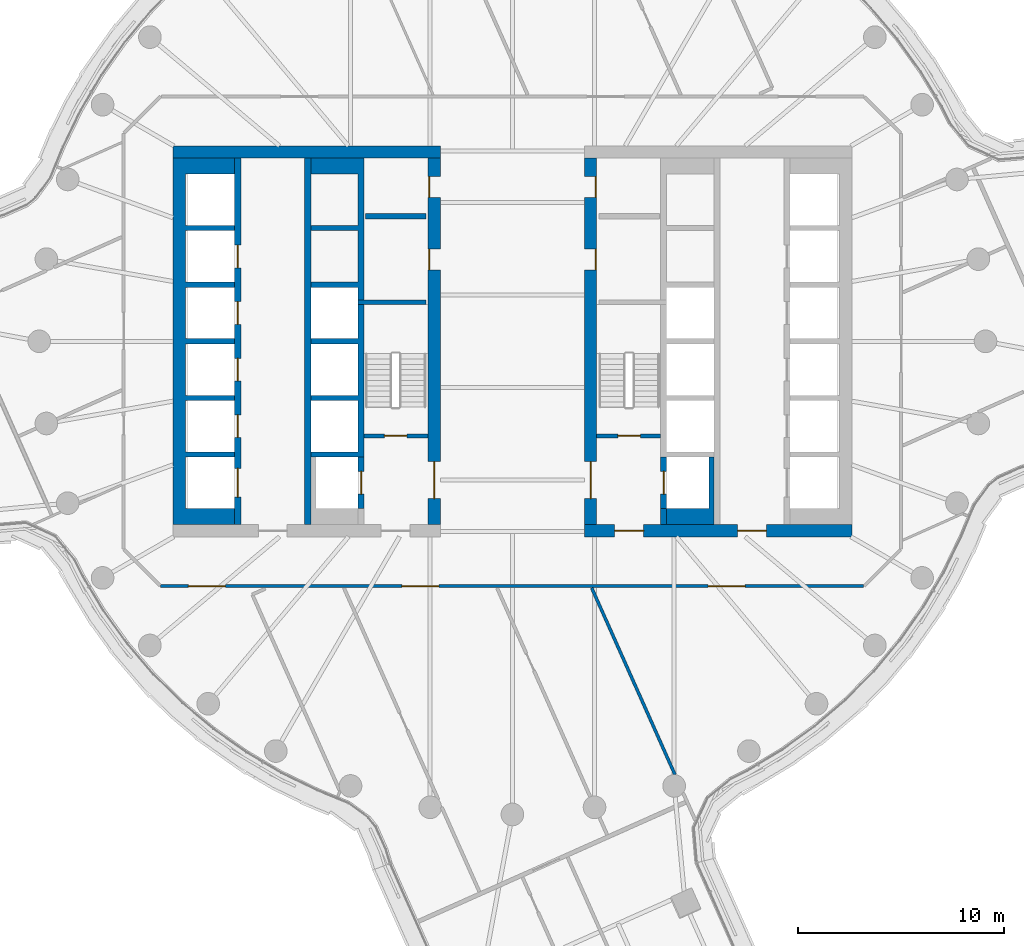
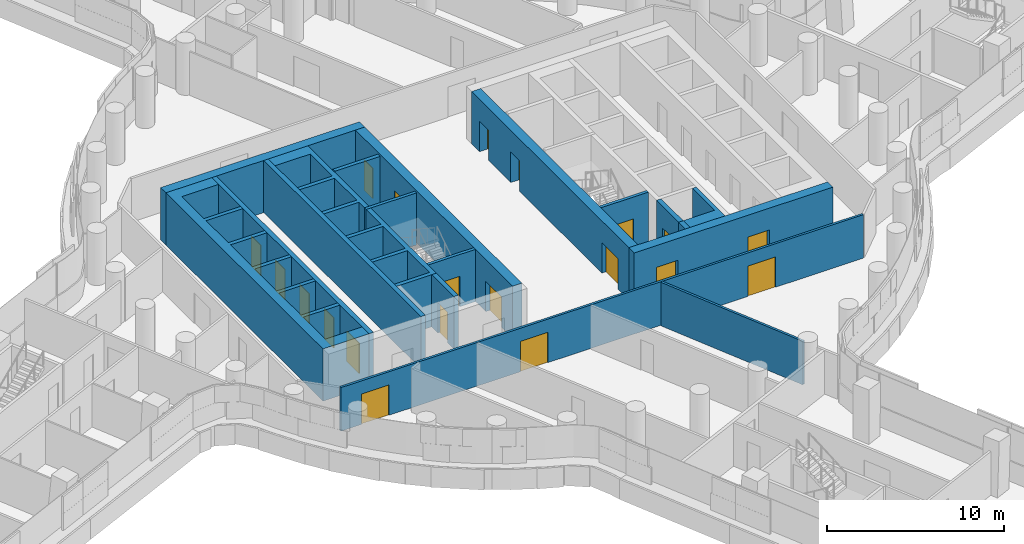
# One storey, part 23 of 35: 20 doors, 18 walls, 20 openings.
"""IFC4 building model written with IfcOpenShell, lengths in metres."""

from ifc_helpers import new_model, si_unit, direction, frame, frame_2d, origin, place, context, subcontext, project, spatial, polyline, rectangle, outline, extrude, material, layer, layer_set, type_object, element, fill, save


model = new_model("IFC4")

# Units and contexts
model_context = context("Model", 3, precision=1e-05, world=origin(), true_north=direction((0.0, 1.0)))
body_context = subcontext(model_context, "Body", "Model", "MODEL_VIEW")
ifc_project = project(units=[si_unit("LENGTHUNIT", "METRE"), si_unit("AREAUNIT", "SQUARE_METRE"), si_unit("VOLUMEUNIT", "CUBIC_METRE"), si_unit("PLANEANGLEUNIT", "RADIAN"), si_unit("MASSUNIT", "GRAM", prefix="KILO")], contexts=[model_context])

# Site, building, storey
site_placement = place(None, origin())
site = spatial("IfcSite", under=ifc_project, at=site_placement, CompositionType="ELEMENT")
building_placement = place(site_placement, origin())
building = spatial("IfcBuilding", under=site, at=building_placement, Name="Tamarind Cross Interchange Tower", CompositionType="ELEMENT")
storey_placement = place(building_placement, frame((0.0, 0.0, 121.0)))
storey = spatial("IfcBuildingStorey", under=building, at=storey_placement, Name="L29", CompositionType="ELEMENT", Elevation=121.0)

# Walls
ifc_material_1 = material(Name="Concrete C70", Category="concrete")
ifc_layer_1 = layer(ifc_material_1, 0.60009765625)
ifc_layer_set_1 = layer_set([ifc_layer_1], Name="Concrete C70")
wall_type_1 = type_object("IfcWallType", Name="Core wall 600 mm Concrete C70", PredefinedType="SHEAR", material=ifc_layer_set_1)
wall_1_placement = place(storey_placement, origin())
element("IfcWall", 1, at=wall_1_placement, inside=storey, type_object=wall_type_1, Name="Core wall CWL-L29-W-A", PredefinedType="SHEAR", context=body_context, shape_type="SweptSolid", body=[
    extrude(outline(polyline([(-13.5, -8.89990234375), (-13.5, -8.125), (-15.89990234375, -8.125), (-15.89990234375, -5.625), (-13.5, -5.625), (-13.5, -5.375), (-15.89990234375, -5.375), (-15.89990234375, -2.875), (-13.5, -2.875), (-13.5, -2.625), (-15.89990234375, -2.625), (-15.89990234375, -0.125), (-13.5, -0.125), (-13.5, 0.125), (-15.89990234375, 0.125), (-15.89990234375, 2.625), (-13.5, 2.625), (-13.5, 2.875), (-15.89990234375, 2.875), (-15.89990234375, 5.375), (-13.5, 5.375), (-13.5, 5.625), (-15.89990234375, 5.625), (-15.89990234375, 8.125), (-13.5, 8.125), (-13.5, 8.89990234375), (-15.89990234375, 8.89990234375), (-16.5, 8.89990234375), (-16.5, -8.89990234375), (-15.89990234375, -8.89990234375), (-13.5, -8.89990234375)])), origin(), (0.0, 0.0, 1.0), 3.610107421875),
])
wall_2_placement = place(storey_placement, frame((-16.5, 9.199951171875, 0.0), z_axis=(0.0, 0.0, 1.0), x_axis=(1.0, 0.0, 0.0)))
element("IfcWall", 2, at=wall_2_placement, inside=storey, type_object=wall_type_1, Name="Core wall CWL-L29-W-NE", PredefinedType="SHEAR", context=body_context, shape_type="SweptSolid", body=[
    extrude(rectangle(XDim=13.0, YDim=0.60009765625, at=frame_2d((6.5, 0.0))), origin(), (0.0, 0.0, 1.0), 3.610107421875),
])

# Wall, openings, doors
wall_3_placement = place(storey_placement, frame((-3.800048828125, -8.89990234375, 0.0), z_axis=(0.0, 0.0, 1.0), x_axis=(0.0, 1.0, 0.0)))
wall_3 = element("IfcWall", 3, at=wall_3_placement, inside=storey, type_object=wall_type_1, Name="Core wall CWL-L29-W-IN", PredefinedType="SHEAR", context=body_context, shape_type="SweptSolid", body=[
    extrude(rectangle(XDim=17.7998046875, YDim=0.60009765625, at=frame_2d((8.89990234375, 0.0))), origin(), (0.0, 0.0, 1.0), 3.610107421875),
])
opening_1_placement = place(wall_3_placement, frame((1.25, 0.0, 0.0)))
opening_1 = element("IfcOpeningElement", 4, at=opening_1_placement, cuts=wall_3, Name="Opening DCW4", PredefinedType="OPENING", context=body_context, shape_type="SweptSolid", body=[
    extrude(rectangle(XDim=1.800048828125, YDim=2.10009765625, at=frame_2d((0.89990234375, 1.050048828125))), frame((0.0, 0.31005859375, 0.0), z_axis=(0.0, -1.0, 0.0), x_axis=(1.0, 0.0, 0.0)), (0.0, 0.0, 1.0), 0.6201171875),
])
opening_2_placement = place(wall_3_placement, frame((12.37744140625, 0.0, 0.0)))
opening_2 = element("IfcOpeningElement", 5, at=opening_2_placement, cuts=wall_3, Name="Opening DCW5", PredefinedType="OPENING", context=body_context, shape_type="SweptSolid", body=[
    extrude(rectangle(XDim=1.0, YDim=2.10009765625, at=frame_2d((0.5, 1.050048828125))), frame((0.0, 0.31005859375, 0.0), z_axis=(0.0, -1.0, 0.0), x_axis=(1.0, 0.0, 0.0)), (0.0, 0.0, 1.0), 0.6201171875),
])
opening_3_placement = place(wall_3_placement, frame((15.902587890625, 0.0, 0.0)))
opening_3 = element("IfcOpeningElement", 6, at=opening_3_placement, cuts=wall_3, Name="Opening DCW5", PredefinedType="OPENING", context=body_context, shape_type="SweptSolid", body=[
    extrude(rectangle(XDim=1.0, YDim=2.10009765625, at=frame_2d((0.5, 1.050048828125))), frame((0.0, 0.31005859375, 0.0), z_axis=(0.0, -1.0, 0.0), x_axis=(1.0, 0.0, 0.0)), (0.0, 0.0, 1.0), 0.6201171875),
])
ifc_material_2 = material(Name="Steel, fire-resisting", Category="steel")
door_type_1 = type_object("IfcDoorType", Name="Core fire door 1000 x 2100 FD90", OperationType="SINGLE_SWING_LEFT", PredefinedType="DOOR", material=ifc_material_2)
door_1_placement = place(opening_2_placement, origin())
door_1 = element("IfcDoor", 7, at=door_1_placement, inside=storey, type_object=door_type_1, Name="L29 cleaner's store door", OperationType="SINGLE_SWING_LEFT", OverallHeight=2.10009765625, OverallWidth=1.0, PredefinedType="DOOR", context=body_context, shape_type="SweptSolid", body=[
    extrude(rectangle(XDim=1.0, YDim=2.10009765625, at=frame_2d((0.5, 1.050048828125))), frame((0.0, 0.27490234375, 0.0), z_axis=(0.0, -1.0, 0.0), x_axis=(1.0, 0.0, 0.0)), (0.0, 0.0, 1.0), 0.050048828125),
])
fill(opening_2, door_1)
door_2_placement = place(opening_3_placement, origin())
door_2 = element("IfcDoor", 8, at=door_2_placement, inside=storey, type_object=door_type_1, Name="L29 comms room door", OperationType="SINGLE_SWING_LEFT", OverallHeight=2.10009765625, OverallWidth=1.0, PredefinedType="DOOR", context=body_context, shape_type="SweptSolid", body=[
    extrude(rectangle(XDim=1.0, YDim=2.10009765625, at=frame_2d((0.5, 1.050048828125))), frame((0.0, 0.27490234375, 0.0), z_axis=(0.0, -1.0, 0.0), x_axis=(1.0, 0.0, 0.0)), (0.0, 0.0, 1.0), 0.050048828125),
])
fill(opening_3, door_2)
door_type_2 = type_object("IfcDoorType", Name="Core fire door 1800 x 2100 FD90", OperationType="SINGLE_SWING_LEFT", PredefinedType="DOOR", material=ifc_material_2)
door_3_placement = place(opening_1_placement, origin())
door_3 = element("IfcDoor", 9, at=door_3_placement, inside=storey, type_object=door_type_2, Name="L29 firefighting lobby door", OperationType="SINGLE_SWING_LEFT", OverallHeight=2.10009765625, OverallWidth=1.800048828125, PredefinedType="DOOR", context=body_context, shape_type="SweptSolid", body=[
    extrude(rectangle(XDim=1.800048828125, YDim=2.10009765625, at=frame_2d((0.89990234375, 1.050048828125))), frame((0.0, 0.02490234375, 0.0), z_axis=(0.0, -1.0, 0.0), x_axis=(1.0, 0.0, 0.0)), (0.0, 0.0, 1.0), 0.050048828125),
])
fill(opening_1, door_3)

wall_4_placement = place(storey_placement, frame((16.5, -9.199951171875, 0.0), z_axis=(0.0, 0.0, 1.0), x_axis=(-1.0, 0.0, 0.0)))
wall_4 = element("IfcWall", 10, at=wall_4_placement, inside=storey, type_object=wall_type_1, Name="Core wall CWL-L29-E-S", PredefinedType="SHEAR", context=body_context, shape_type="SweptSolid", body=[
    extrude(rectangle(XDim=13.0, YDim=0.60009765625, at=frame_2d((6.5, 0.0))), origin(), (0.0, 0.0, 1.0), 3.610107421875),
])
opening_4_placement = place(wall_4_placement, frame((4.14990234375, 0.0, 0.0)))
opening_4 = element("IfcOpeningElement", 11, at=opening_4_placement, cuts=wall_4, Name="Opening DCE1", PredefinedType="OPENING", context=body_context, shape_type="SweptSolid", body=[
    extrude(rectangle(XDim=1.39990234375, YDim=2.10009765625, at=frame_2d((0.699951171875, 1.050048828125))), frame((0.0, 0.31005859375, 0.0), z_axis=(0.0, -1.0, 0.0), x_axis=(1.0, 0.0, 0.0)), (0.0, 0.0, 1.0), 0.6201171875),
])
opening_5_placement = place(wall_4_placement, frame((10.125, 0.0, 0.0)))
opening_5 = element("IfcOpeningElement", 12, at=opening_5_placement, cuts=wall_4, Name="Opening DCEF", PredefinedType="OPENING", context=body_context, shape_type="SweptSolid", body=[
    extrude(rectangle(XDim=1.39990234375, YDim=2.10009765625, at=frame_2d((0.699951171875, 1.050048828125))), frame((0.0, 0.31005859375, 0.0), z_axis=(0.0, -1.0, 0.0), x_axis=(1.0, 0.0, 0.0)), (0.0, 0.0, 1.0), 0.6201171875),
])
door_type_3 = type_object("IfcDoorType", Name="Core fire door 1400 x 2100 FD90", OperationType="SINGLE_SWING_LEFT", PredefinedType="DOOR", material=ifc_material_2)
door_4_placement = place(opening_4_placement, origin())
door_4 = element("IfcDoor", 13, at=door_4_placement, inside=storey, type_object=door_type_3, Name="L29 lift lobby door", OperationType="SINGLE_SWING_LEFT", OverallHeight=2.10009765625, OverallWidth=1.39990234375, PredefinedType="DOOR", context=body_context, shape_type="SweptSolid", body=[
    extrude(rectangle(XDim=1.39990234375, YDim=2.10009765625, at=frame_2d((0.699951171875, 1.050048828125))), frame((0.0, 0.02490234375, 0.0), z_axis=(0.0, -1.0, 0.0), x_axis=(1.0, 0.0, 0.0)), (0.0, 0.0, 1.0), 0.050048828125),
])
fill(opening_4, door_4)
door_5_placement = place(opening_5_placement, origin())
door_5 = element("IfcDoor", 14, at=door_5_placement, inside=storey, type_object=door_type_3, Name="L29 firefighting lobby end door", OperationType="SINGLE_SWING_LEFT", OverallHeight=2.10009765625, OverallWidth=1.39990234375, PredefinedType="DOOR", context=body_context, shape_type="SweptSolid", body=[
    extrude(rectangle(XDim=1.39990234375, YDim=2.10009765625, at=frame_2d((0.699951171875, 1.050048828125))), frame((0.0, 0.02490234375, 0.0), z_axis=(0.0, -1.0, 0.0), x_axis=(1.0, 0.0, 0.0)), (0.0, 0.0, 1.0), 0.050048828125),
])
fill(opening_5, door_5)

wall_5_placement = place(storey_placement, frame((3.800048828125, -8.89990234375, 0.0), z_axis=(0.0, 0.0, 1.0), x_axis=(0.0, 1.0, 0.0)))
wall_5 = element("IfcWall", 15, at=wall_5_placement, inside=storey, type_object=wall_type_1, Name="Core wall CWL-L29-E-IN", PredefinedType="SHEAR", context=body_context, shape_type="SweptSolid", body=[
    extrude(rectangle(XDim=17.7998046875, YDim=0.60009765625, at=frame_2d((8.89990234375, 0.0))), origin(), (0.0, 0.0, 1.0), 3.610107421875),
])
opening_6_placement = place(wall_5_placement, frame((1.25, 0.0, 0.0)))
opening_6 = element("IfcOpeningElement", 16, at=opening_6_placement, cuts=wall_5, Name="Opening DCE4", PredefinedType="OPENING", context=body_context, shape_type="SweptSolid", body=[
    extrude(rectangle(XDim=1.800048828125, YDim=2.10009765625, at=frame_2d((0.89990234375, 1.050048828125))), frame((0.0, 0.31005859375, 0.0), z_axis=(0.0, -1.0, 0.0), x_axis=(1.0, 0.0, 0.0)), (0.0, 0.0, 1.0), 0.6201171875),
])
opening_7_placement = place(wall_5_placement, frame((12.37744140625, 0.0, 0.0)))
opening_7 = element("IfcOpeningElement", 17, at=opening_7_placement, cuts=wall_5, Name="Opening DCE5", PredefinedType="OPENING", context=body_context, shape_type="SweptSolid", body=[
    extrude(rectangle(XDim=1.0, YDim=2.10009765625, at=frame_2d((0.5, 1.050048828125))), frame((0.0, 0.31005859375, 0.0), z_axis=(0.0, -1.0, 0.0), x_axis=(1.0, 0.0, 0.0)), (0.0, 0.0, 1.0), 0.6201171875),
])
opening_8_placement = place(wall_5_placement, frame((15.902587890625, 0.0, 0.0)))
opening_8 = element("IfcOpeningElement", 18, at=opening_8_placement, cuts=wall_5, Name="Opening DCE5", PredefinedType="OPENING", context=body_context, shape_type="SweptSolid", body=[
    extrude(rectangle(XDim=1.0, YDim=2.10009765625, at=frame_2d((0.5, 1.050048828125))), frame((0.0, 0.31005859375, 0.0), z_axis=(0.0, -1.0, 0.0), x_axis=(1.0, 0.0, 0.0)), (0.0, 0.0, 1.0), 0.6201171875),
])
door_6_placement = place(opening_7_placement, origin())
door_6 = element("IfcDoor", 19, at=door_6_placement, inside=storey, type_object=door_type_1, Name="L29 cleaner's store door", OperationType="SINGLE_SWING_LEFT", OverallHeight=2.10009765625, OverallWidth=1.0, PredefinedType="DOOR", context=body_context, shape_type="SweptSolid", body=[
    extrude(rectangle(XDim=1.0, YDim=2.10009765625, at=frame_2d((0.5, 1.050048828125))), frame((0.0, -0.22509765625, 0.0), z_axis=(0.0, -1.0, 0.0), x_axis=(1.0, 0.0, 0.0)), (0.0, 0.0, 1.0), 0.050048828125),
])
fill(opening_7, door_6)
door_7_placement = place(opening_8_placement, origin())
door_7 = element("IfcDoor", 20, at=door_7_placement, inside=storey, type_object=door_type_1, Name="L29 comms room door", OperationType="SINGLE_SWING_LEFT", OverallHeight=2.10009765625, OverallWidth=1.0, PredefinedType="DOOR", context=body_context, shape_type="SweptSolid", body=[
    extrude(rectangle(XDim=1.0, YDim=2.10009765625, at=frame_2d((0.5, 1.050048828125))), frame((0.0, -0.22509765625, 0.0), z_axis=(0.0, -1.0, 0.0), x_axis=(1.0, 0.0, 0.0)), (0.0, 0.0, 1.0), 0.050048828125),
])
fill(opening_8, door_7)
door_8_placement = place(opening_6_placement, origin())
door_8 = element("IfcDoor", 21, at=door_8_placement, inside=storey, type_object=door_type_2, Name="L29 firefighting lobby door", OperationType="SINGLE_SWING_LEFT", OverallHeight=2.10009765625, OverallWidth=1.800048828125, PredefinedType="DOOR", context=body_context, shape_type="SweptSolid", body=[
    extrude(rectangle(XDim=1.800048828125, YDim=2.10009765625, at=frame_2d((0.89990234375, 1.050048828125))), frame((0.0, 0.02490234375, 0.0), z_axis=(0.0, -1.0, 0.0), x_axis=(1.0, 0.0, 0.0)), (0.0, 0.0, 1.0), 0.050048828125),
])
fill(opening_6, door_8)

# Walls
ifc_layer_2 = layer(ifc_material_1, 0.199951171875)
ifc_layer_set_2 = layer_set([ifc_layer_2], Name="Concrete C70")
wall_type_2 = type_object("IfcWallType", Name="Core web wall 200 mm Concrete C70", PredefinedType="SHEAR", material=ifc_layer_set_2)
wall_6_placement = place(storey_placement, frame((-7.5, 1.89990234375, 0.0), z_axis=(0.0, 0.0, 1.0), x_axis=(1.0, 0.0, 0.0)))
element("IfcWall", 22, at=wall_6_placement, inside=storey, type_object=wall_type_2, Name="Core wall CWL-L29-W-BD", PredefinedType="SHEAR", context=body_context, shape_type="SweptSolid", body=[
    extrude(rectangle(XDim=3.300048828125, YDim=0.199951171875, at=frame_2d((1.64990234375, 0.0))), origin(), (0.0, 0.0, 1.0), 3.610107421875),
])
ifc_layer_3 = layer(ifc_material_1, 0.300048828125)
ifc_layer_set_3 = layer_set([ifc_layer_3], Name="Concrete C70")
wall_type_3 = type_object("IfcWallType", Name="Core web wall 300 mm Concrete C70", PredefinedType="SHEAR", material=ifc_layer_set_3)
wall_7_placement = place(storey_placement, origin())
element("IfcWall", 23, at=wall_7_placement, inside=storey, type_object=wall_type_3, Name="Core wall CWL-L29-W-BN", PredefinedType="SHEAR", context=body_context, shape_type="SweptSolid", body=[
    extrude(outline(polyline([(-9.800048828125, -5.375), (-9.800048828125, -5.625), (-7.5, -5.625), (-7.199951171875, -5.625), (-7.199951171875, 8.89990234375), (-7.5, 8.89990234375), (-9.800048828125, 8.89990234375), (-9.800048828125, 8.125), (-7.5, 8.125), (-7.5, 5.625), (-9.800048828125, 5.625), (-9.800048828125, 5.375), (-7.5, 5.375), (-7.5, 2.875), (-9.800048828125, 2.875), (-9.800048828125, 2.625), (-7.5, 2.625), (-7.5, 0.125), (-9.800048828125, 0.125), (-9.800048828125, -0.125), (-7.5, -0.125), (-7.5, -2.625), (-9.800048828125, -2.625), (-9.800048828125, -2.875), (-7.5, -2.875), (-7.5, -5.375), (-9.800048828125, -5.375)])), origin(), (0.0, 0.0, 1.0), 3.610107421875),
])

# Wall, openings, doors
wall_8_placement = place(storey_placement, frame((-13.35009765625, -8.89990234375, 0.0), z_axis=(0.0, 0.0, 1.0), x_axis=(0.0, 1.0, 0.0)))
wall_8 = element("IfcWall", 24, at=wall_8_placement, inside=storey, type_object=wall_type_3, Name="Core wall CWL-L29-W-LA", PredefinedType="SHEAR", context=body_context, shape_type="SweptSolid", body=[
    extrude(rectangle(XDim=17.7998046875, YDim=0.300048828125, at=frame_2d((8.89990234375, 0.0))), origin(), (0.0, 0.0, 1.0), 3.610107421875),
])
opening_9_placement = place(wall_8_placement, frame((1.324951171875, 0.0, 0.0)))
opening_9 = element("IfcOpeningElement", 25, at=opening_9_placement, cuts=wall_8, Name="Opening LD1L29", PredefinedType="OPENING", context=body_context, shape_type="SweptSolid", body=[
    extrude(rectangle(XDim=1.39990234375, YDim=2.10009765625, at=frame_2d((0.699951171875, 1.050048828125))), frame((0.0, 0.159912109375, 0.0), z_axis=(0.0, -1.0, 0.0), x_axis=(1.0, 0.0, 0.0)), (0.0, 0.0, 1.0), 0.320068359375),
])
opening_10_placement = place(wall_8_placement, frame((4.22509765625, 0.0, 0.0)))
opening_10 = element("IfcOpeningElement", 26, at=opening_10_placement, cuts=wall_8, Name="Opening LD2L29", PredefinedType="OPENING", context=body_context, shape_type="SweptSolid", body=[
    extrude(rectangle(XDim=1.10009765625, YDim=2.10009765625, at=frame_2d((0.550048828125, 1.050048828125))), frame((0.0, 0.159912109375, 0.0), z_axis=(0.0, -1.0, 0.0), x_axis=(1.0, 0.0, 0.0)), (0.0, 0.0, 1.0), 0.320068359375),
])
opening_11_placement = place(wall_8_placement, frame((6.97509765625, 0.0, 0.0)))
opening_11 = element("IfcOpeningElement", 27, at=opening_11_placement, cuts=wall_8, Name="Opening LD3L29", PredefinedType="OPENING", context=body_context, shape_type="SweptSolid", body=[
    extrude(rectangle(XDim=1.10009765625, YDim=2.10009765625, at=frame_2d((0.550048828125, 1.050048828125))), frame((0.0, 0.159912109375, 0.0), z_axis=(0.0, -1.0, 0.0), x_axis=(1.0, 0.0, 0.0)), (0.0, 0.0, 1.0), 0.320068359375),
])
opening_12_placement = place(wall_8_placement, frame((9.72509765625, 0.0, 0.0)))
opening_12 = element("IfcOpeningElement", 28, at=opening_12_placement, cuts=wall_8, Name="Opening LD4L29", PredefinedType="OPENING", context=body_context, shape_type="SweptSolid", body=[
    extrude(rectangle(XDim=1.10009765625, YDim=2.10009765625, at=frame_2d((0.550048828125, 1.050048828125))), frame((0.0, 0.159912109375, 0.0), z_axis=(0.0, -1.0, 0.0), x_axis=(1.0, 0.0, 0.0)), (0.0, 0.0, 1.0), 0.320068359375),
])
opening_13_placement = place(wall_8_placement, frame((12.47509765625, 0.0, 0.0)))
opening_13 = element("IfcOpeningElement", 29, at=opening_13_placement, cuts=wall_8, Name="Opening LD5L29", PredefinedType="OPENING", context=body_context, shape_type="SweptSolid", body=[
    extrude(rectangle(XDim=1.10009765625, YDim=2.10009765625, at=frame_2d((0.550048828125, 1.050048828125))), frame((0.0, 0.159912109375, 0.0), z_axis=(0.0, -1.0, 0.0), x_axis=(1.0, 0.0, 0.0)), (0.0, 0.0, 1.0), 0.320068359375),
])
ifc_material_3 = material(Name="Stainless steel panel", Category="steel")
door_type_4 = type_object("IfcDoorType", Name="Lift landing door 1100 x 2100 E 120", OperationType="SLIDING_TO_LEFT", PredefinedType="DOOR", material=ifc_material_3)
door_9_placement = place(opening_10_placement, origin())
door_9 = element("IfcDoor", 30, at=door_9_placement, inside=storey, type_object=door_type_4, Name="L29 landing door LF2", OperationType="SLIDING_TO_LEFT", OverallHeight=2.10009765625, OverallWidth=1.10009765625, PredefinedType="DOOR", context=body_context, shape_type="SweptSolid", body=[
    extrude(rectangle(XDim=1.10009765625, YDim=2.10009765625, at=frame_2d((0.550048828125, 1.050048828125))), frame((0.0, 0.02490234375, 0.0), z_axis=(0.0, -1.0, 0.0), x_axis=(1.0, 0.0, 0.0)), (0.0, 0.0, 1.0), 0.050048828125),
])
fill(opening_10, door_9)
door_10_placement = place(opening_11_placement, origin())
door_10 = element("IfcDoor", 31, at=door_10_placement, inside=storey, type_object=door_type_4, Name="L29 landing door LF3", OperationType="SLIDING_TO_LEFT", OverallHeight=2.10009765625, OverallWidth=1.10009765625, PredefinedType="DOOR", context=body_context, shape_type="SweptSolid", body=[
    extrude(rectangle(XDim=1.10009765625, YDim=2.10009765625, at=frame_2d((0.550048828125, 1.050048828125))), frame((0.0, 0.02490234375, 0.0), z_axis=(0.0, -1.0, 0.0), x_axis=(1.0, 0.0, 0.0)), (0.0, 0.0, 1.0), 0.050048828125),
])
fill(opening_11, door_10)
door_11_placement = place(opening_12_placement, origin())
door_11 = element("IfcDoor", 32, at=door_11_placement, inside=storey, type_object=door_type_4, Name="L29 landing door LF4", OperationType="SLIDING_TO_LEFT", OverallHeight=2.10009765625, OverallWidth=1.10009765625, PredefinedType="DOOR", context=body_context, shape_type="SweptSolid", body=[
    extrude(rectangle(XDim=1.10009765625, YDim=2.10009765625, at=frame_2d((0.550048828125, 1.050048828125))), frame((0.0, 0.02490234375, 0.0), z_axis=(0.0, -1.0, 0.0), x_axis=(1.0, 0.0, 0.0)), (0.0, 0.0, 1.0), 0.050048828125),
])
fill(opening_12, door_11)
door_12_placement = place(opening_13_placement, origin())
door_12 = element("IfcDoor", 33, at=door_12_placement, inside=storey, type_object=door_type_4, Name="L29 landing door LF5", OperationType="SLIDING_TO_LEFT", OverallHeight=2.10009765625, OverallWidth=1.10009765625, PredefinedType="DOOR", context=body_context, shape_type="SweptSolid", body=[
    extrude(rectangle(XDim=1.10009765625, YDim=2.10009765625, at=frame_2d((0.550048828125, 1.050048828125))), frame((0.0, 0.02490234375, 0.0), z_axis=(0.0, -1.0, 0.0), x_axis=(1.0, 0.0, 0.0)), (0.0, 0.0, 1.0), 0.050048828125),
])
fill(opening_13, door_12)
door_type_5 = type_object("IfcDoorType", Name="Lift landing door 1400 x 2100 E 120", OperationType="SLIDING_TO_LEFT", PredefinedType="DOOR", material=ifc_material_3)
door_13_placement = place(opening_9_placement, origin())
door_13 = element("IfcDoor", 34, at=door_13_placement, inside=storey, type_object=door_type_5, Name="L29 landing door LF1", OperationType="SLIDING_TO_LEFT", OverallHeight=2.10009765625, OverallWidth=1.39990234375, PredefinedType="DOOR", context=body_context, shape_type="SweptSolid", body=[
    extrude(rectangle(XDim=1.39990234375, YDim=2.10009765625, at=frame_2d((0.699951171875, 1.050048828125))), frame((0.0, 0.02490234375, 0.0), z_axis=(0.0, -1.0, 0.0), x_axis=(1.0, 0.0, 0.0)), (0.0, 0.0, 1.0), 0.050048828125),
])
fill(opening_9, door_13)

# Wall
wall_9_placement = place(storey_placement, frame((-9.949951171875, -8.89990234375, 0.0), z_axis=(0.0, 0.0, 1.0), x_axis=(0.0, 1.0, 0.0)))
element("IfcWall", 35, at=wall_9_placement, inside=storey, type_object=wall_type_3, Name="Core wall CWL-L29-W-LB", PredefinedType="SHEAR", context=body_context, shape_type="SweptSolid", body=[
    extrude(rectangle(XDim=17.7998046875, YDim=0.300048828125, at=frame_2d((8.89990234375, 0.0))), origin(), (0.0, 0.0, 1.0), 3.610107421875),
])

# Wall, opening, door
wall_10_placement = place(storey_placement, frame((-7.35009765625, -8.125, 0.0), z_axis=(0.0, 0.0, 1.0), x_axis=(0.0, 1.0, 0.0)))
wall_10 = element("IfcWall", 36, at=wall_10_placement, inside=storey, type_object=wall_type_3, Name="Core wall CWL-L29-W-FF", PredefinedType="SHEAR", context=body_context, shape_type="SweptSolid", body=[
    extrude(rectangle(XDim=2.5, YDim=0.300048828125, at=frame_2d((1.25, 0.0))), origin(), (0.0, 0.0, 1.0), 3.610107421875),
])
opening_14_placement = place(wall_10_placement, frame((0.699951171875, 0.0, 0.0)))
opening_14 = element("IfcOpeningElement", 37, at=opening_14_placement, cuts=wall_10, Name="Opening LD7L29", PredefinedType="OPENING", context=body_context, shape_type="SweptSolid", body=[
    extrude(rectangle(XDim=1.10009765625, YDim=2.10009765625, at=frame_2d((0.550048828125, 1.050048828125))), frame((0.0, 0.159912109375, 0.0), z_axis=(0.0, -1.0, 0.0), x_axis=(1.0, 0.0, 0.0)), (0.0, 0.0, 1.0), 0.320068359375),
])
door_14_placement = place(opening_14_placement, origin())
door_14 = element("IfcDoor", 38, at=door_14_placement, inside=storey, type_object=door_type_4, Name="L29 landing door LF7", OperationType="SLIDING_TO_LEFT", OverallHeight=2.10009765625, OverallWidth=1.10009765625, PredefinedType="DOOR", context=body_context, shape_type="SweptSolid", body=[
    extrude(rectangle(XDim=1.10009765625, YDim=2.10009765625, at=frame_2d((0.550048828125, 1.050048828125))), frame((0.0, 0.02490234375, 0.0), z_axis=(0.0, -1.0, 0.0), x_axis=(1.0, 0.0, 0.0)), (0.0, 0.0, 1.0), 0.050048828125),
])
fill(opening_14, door_14)

# Walls
wall_11_placement = place(storey_placement, origin())
element("IfcWall", 39, at=wall_11_placement, inside=storey, type_object=wall_type_3, Name="Core wall CWL-L29-E-BS", PredefinedType="SHEAR", context=body_context, shape_type="SweptSolid", body=[
    extrude(outline(polyline([(7.5, -8.125), (7.5, -8.89990234375), (9.800048828125, -8.89990234375), (9.800048828125, -8.125), (9.800048828125, -5.625), (9.550048828125, -5.625), (9.550048828125, -8.125), (7.5, -8.125)])), origin(), (0.0, 0.0, 1.0), 3.610107421875),
])
wall_12_placement = place(storey_placement, frame((7.35009765625, -8.89990234375, 0.0), z_axis=(0.0, 0.0, 1.0), x_axis=(0.0, 1.0, 0.0)))
element("IfcWall", 40, at=wall_12_placement, inside=storey, type_object=wall_type_3, Name="Core wall CWL-L29-E-BW", PredefinedType="SHEAR", context=body_context, shape_type="SweptSolid", body=[
    extrude(rectangle(XDim=0.77490234375, YDim=0.300048828125, at=frame_2d((0.387451171875, 0.0))), origin(), (0.0, 0.0, 1.0), 3.610107421875),
])

# Wall, opening, door
wall_13_placement = place(storey_placement, frame((7.35009765625, -8.125, 0.0), z_axis=(0.0, 0.0, 1.0), x_axis=(0.0, 1.0, 0.0)))
wall_13 = element("IfcWall", 41, at=wall_13_placement, inside=storey, type_object=wall_type_3, Name="Core wall CWL-L29-E-FF", PredefinedType="SHEAR", context=body_context, shape_type="SweptSolid", body=[
    extrude(rectangle(XDim=2.5, YDim=0.300048828125, at=frame_2d((1.25, 0.0))), origin(), (0.0, 0.0, 1.0), 3.610107421875),
])
opening_15_placement = place(wall_13_placement, frame((0.699951171875, 0.0, 0.0)))
opening_15 = element("IfcOpeningElement", 42, at=opening_15_placement, cuts=wall_13, Name="Opening LD19L29", PredefinedType="OPENING", context=body_context, shape_type="SweptSolid", body=[
    extrude(rectangle(XDim=1.10009765625, YDim=2.10009765625, at=frame_2d((0.550048828125, 1.050048828125))), frame((0.0, 0.159912109375, 0.0), z_axis=(0.0, -1.0, 0.0), x_axis=(1.0, 0.0, 0.0)), (0.0, 0.0, 1.0), 0.320068359375),
])
door_15_placement = place(opening_15_placement, origin())
door_15 = element("IfcDoor", 43, at=door_15_placement, inside=storey, type_object=door_type_4, Name="L29 landing door LF19", OperationType="SLIDING_TO_LEFT", OverallHeight=2.10009765625, OverallWidth=1.10009765625, PredefinedType="DOOR", context=body_context, shape_type="SweptSolid", body=[
    extrude(rectangle(XDim=1.10009765625, YDim=2.10009765625, at=frame_2d((0.550048828125, 1.050048828125))), frame((0.0, 0.02490234375, 0.0), z_axis=(0.0, -1.0, 0.0), x_axis=(1.0, 0.0, 0.0)), (0.0, 0.0, 1.0), 0.050048828125),
])
fill(opening_15, door_15)

# Wall
ifc_material_4 = material(Name="Gypsum board partition on steel studs", Category="steel")
ifc_layer_4 = layer(ifc_material_4, 0.14990234375)
ifc_layer_set_4 = layer_set([ifc_layer_4], Name="Gypsum board partition on steel studs")
wall_type_4 = type_object("IfcWallType", Name="Partition 150 mm EI 120", PredefinedType="PARTITIONING", material=ifc_layer_set_4)
wall_14_placement = place(storey_placement, frame((3.856689453125, -11.98681640625, 0.0), z_axis=(0.0, 0.0, 1.0), x_axis=(0.407232319001, -0.913324607334, 0.0)))
element("IfcWall", 44, at=wall_14_placement, inside=storey, type_object=wall_type_4, Name="Partition L29-030", PredefinedType="PARTITIONING", context=body_context, shape_type="SweptSolid", body=[
    extrude(rectangle(XDim=9.9375, YDim=0.14990234375, at=frame_2d((4.96875, 0.0))), origin(), (0.0, 0.0, 1.0), 3.010009765625),
])

# Wall, openings, doors
wall_15_placement = place(storey_placement, frame((-17.10009765625, -11.89990234375, 0.0), z_axis=(0.0, 0.0, 1.0), x_axis=(1.0, 0.0, 0.0)))
wall_15 = element("IfcWall", 45, at=wall_15_placement, inside=storey, type_object=wall_type_4, Name="Partition L29-042", PredefinedType="PARTITIONING", context=body_context, shape_type="SweptSolid", body=[
    extrude(rectangle(XDim=34.1650390625, YDim=0.14990234375, at=frame_2d((17.08251953125, 0.0))), origin(), (0.0, 0.0, 1.0), 3.010009765625),
])
opening_16_placement = place(wall_15_placement, frame((11.72412109375, 0.0, 0.0)))
opening_16 = element("IfcOpeningElement", 46, at=opening_16_placement, cuts=wall_15, Name="Opening D17", PredefinedType="OPENING", context=body_context, shape_type="SweptSolid", body=[
    extrude(rectangle(XDim=1.800048828125, YDim=2.10009765625, at=frame_2d((0.89990234375, 1.050048828125))), frame((0.0, 0.0849609375, 0.0), z_axis=(0.0, -1.0, 0.0), x_axis=(1.0, 0.0, 0.0)), (0.0, 0.0, 1.0), 0.169921875),
])
opening_17_placement = place(wall_15_placement, frame((1.35009765625, 0.0, 0.0)))
opening_17 = element("IfcOpeningElement", 47, at=opening_17_placement, cuts=wall_15, Name="Opening D18", PredefinedType="OPENING", context=body_context, shape_type="SweptSolid", body=[
    extrude(rectangle(XDim=1.800048828125, YDim=2.10009765625, at=frame_2d((0.89990234375, 1.050048828125))), frame((0.0, 0.0849609375, 0.0), z_axis=(0.0, -1.0, 0.0), x_axis=(1.0, 0.0, 0.0)), (0.0, 0.0, 1.0), 0.169921875),
])
opening_18_placement = place(wall_15_placement, frame((26.617919921875, 0.0, 0.0)))
opening_18 = element("IfcOpeningElement", 48, at=opening_18_placement, cuts=wall_15, Name="Opening D19", PredefinedType="OPENING", context=body_context, shape_type="SweptSolid", body=[
    extrude(rectangle(XDim=1.800048828125, YDim=2.10009765625, at=frame_2d((0.89990234375, 1.050048828125))), frame((0.0, 0.0849609375, 0.0), z_axis=(0.0, -1.0, 0.0), x_axis=(1.0, 0.0, 0.0)), (0.0, 0.0, 1.0), 0.169921875),
])
ifc_material_5 = material(Name="Fire-resisting door set")
door_type_6 = type_object("IfcDoorType", Name="Interior door 1800 x 2100 FD60S", OperationType="DOUBLE_DOOR_SINGLE_SWING", PredefinedType="DOOR", material=ifc_material_5)
door_16_placement = place(opening_16_placement, origin())
door_16 = element("IfcDoor", 49, at=door_16_placement, inside=storey, type_object=door_type_6, Name="Door D17", OperationType="DOUBLE_DOOR_SINGLE_SWING", OverallHeight=2.10009765625, OverallWidth=1.800048828125, PredefinedType="DOOR", context=body_context, shape_type="SweptSolid", body=[
    extrude(rectangle(XDim=1.800048828125, YDim=2.10009765625, at=frame_2d((0.89990234375, 1.050048828125))), frame((0.0, 0.02490234375, 0.0), z_axis=(0.0, -1.0, 0.0), x_axis=(1.0, 0.0, 0.0)), (0.0, 0.0, 1.0), 0.050048828125),
])
fill(opening_16, door_16)
door_17_placement = place(opening_17_placement, frame((1.800048828125, 0.0, 0.0), z_axis=(0.0, 0.0, 1.0), x_axis=(-1.0, 0.0, 0.0)))
door_17 = element("IfcDoor", 50, at=door_17_placement, inside=storey, type_object=door_type_6, Name="Door D18", OperationType="DOUBLE_DOOR_SINGLE_SWING", OverallHeight=2.10009765625, OverallWidth=1.800048828125, PredefinedType="DOOR", context=body_context, shape_type="SweptSolid", body=[
    extrude(rectangle(XDim=1.800048828125, YDim=2.10009765625, at=frame_2d((0.89990234375, 1.050048828125))), frame((0.0, 0.02490234375, 0.0), z_axis=(0.0, -1.0, 0.0), x_axis=(1.0, 0.0, 0.0)), (0.0, 0.0, 1.0), 0.050048828125),
])
fill(opening_17, door_17)
door_18_placement = place(opening_18_placement, frame((1.800048828125, 0.0, 0.0), z_axis=(0.0, 0.0, 1.0), x_axis=(-1.0, 0.0, 0.0)))
door_18 = element("IfcDoor", 51, at=door_18_placement, inside=storey, type_object=door_type_6, Name="Door D19", OperationType="DOUBLE_DOOR_SINGLE_SWING", OverallHeight=2.10009765625, OverallWidth=1.800048828125, PredefinedType="DOOR", context=body_context, shape_type="SweptSolid", body=[
    extrude(rectangle(XDim=1.800048828125, YDim=2.10009765625, at=frame_2d((0.89990234375, 1.050048828125))), frame((0.0, 0.02490234375, 0.0), z_axis=(0.0, -1.0, 0.0), x_axis=(1.0, 0.0, 0.0)), (0.0, 0.0, 1.0), 0.050048828125),
])
fill(opening_18, door_18)

# Wall
ifc_material_6 = material(Name="Concrete C40", Category="concrete")
ifc_layer_5 = layer(ifc_material_6, 0.25)
ifc_layer_set_5 = layer_set([ifc_layer_5], Name="Concrete C40")
wall_type_5 = type_object("IfcWallType", Name="Shaft and lobby wall 250 mm Concrete C40", PredefinedType="PARTITIONING", material=ifc_layer_set_5)
wall_16_placement = place(storey_placement, frame((-7.14990234375, 6.080078125, 0.0), z_axis=(0.0, 0.0, 1.0), x_axis=(1.0, 0.0, 0.0)))
element("IfcWall", 52, at=wall_16_placement, inside=storey, type_object=wall_type_5, Name="Shaft wall CWL-L29-W-SVP", PredefinedType="PARTITIONING", context=body_context, shape_type="SweptSolid", body=[
    extrude(rectangle(XDim=2.949951171875, YDim=0.25, at=frame_2d((1.47509765625, 0.0))), origin(), (0.0, 0.0, 1.0), 3.610107421875),
])

# Wall, opening, door
ifc_layer_6 = layer(ifc_material_6, 0.199951171875)
ifc_layer_set_6 = layer_set([ifc_layer_6], Name="Concrete C40")
wall_type_6 = type_object("IfcWallType", Name="Stair shaft wall 200 mm Concrete C40", PredefinedType="SHEAR", material=ifc_layer_set_6)
wall_17_placement = place(storey_placement, frame((-7.199951171875, -4.60009765625, 0.0), z_axis=(0.0, 0.0, 1.0), x_axis=(1.0, 0.0, 0.0)))
wall_17 = element("IfcWall", 53, at=wall_17_placement, inside=storey, type_object=wall_type_6, Name="Core wall CWL-L29-W-SD", PredefinedType="SHEAR", context=body_context, shape_type="SweptSolid", body=[
    extrude(rectangle(XDim=3.099853515625, YDim=0.199951171875, at=frame_2d((1.5498046875, 0.0))), origin(), (0.0, 0.0, 1.0), 3.610107421875),
])
opening_19_placement = place(wall_17_placement, frame((0.97509765625, 0.0, 0.0)))
opening_19 = element("IfcOpeningElement", 54, at=opening_19_placement, cuts=wall_17, Name="Opening DCW6", PredefinedType="OPENING", context=body_context, shape_type="SweptSolid", body=[
    extrude(rectangle(XDim=1.10009765625, YDim=2.10009765625, at=frame_2d((0.550048828125, 1.050048828125))), frame((0.0, 0.10986328125, 0.0), z_axis=(0.0, -1.0, 0.0), x_axis=(1.0, 0.0, 0.0)), (0.0, 0.0, 1.0), 0.219970703125),
])
door_type_7 = type_object("IfcDoorType", Name="Core fire door 1100 x 2100 FD90", OperationType="SINGLE_SWING_LEFT", PredefinedType="DOOR", material=ifc_material_2)
door_19_placement = place(opening_19_placement, origin())
door_19 = element("IfcDoor", 55, at=door_19_placement, inside=storey, type_object=door_type_7, Name="L29 stair door", OperationType="SINGLE_SWING_LEFT", OverallHeight=2.10009765625, OverallWidth=1.10009765625, PredefinedType="DOOR", context=body_context, shape_type="SweptSolid", body=[
    extrude(rectangle(XDim=1.10009765625, YDim=2.10009765625, at=frame_2d((0.550048828125, 1.050048828125))), frame((0.0, 0.02490234375, 0.0), z_axis=(0.0, -1.0, 0.0), x_axis=(1.0, 0.0, 0.0)), (0.0, 0.0, 1.0), 0.050048828125),
])
fill(opening_19, door_19)

wall_18_placement = place(storey_placement, frame((7.199951171875, -4.60009765625, 0.0), z_axis=(0.0, 0.0, 1.0), x_axis=(-1.0, 0.0, 0.0)))
wall_18 = element("IfcWall", 56, at=wall_18_placement, inside=storey, type_object=wall_type_6, Name="Core wall CWL-L29-E-SD", PredefinedType="SHEAR", context=body_context, shape_type="SweptSolid", body=[
    extrude(rectangle(XDim=3.099853515625, YDim=0.199951171875, at=frame_2d((1.5498046875, 0.0))), origin(), (0.0, 0.0, 1.0), 3.610107421875),
])
opening_20_placement = place(wall_18_placement, frame((0.97509765625, 0.0, 0.0)))
opening_20 = element("IfcOpeningElement", 57, at=opening_20_placement, cuts=wall_18, Name="Opening DCE6", PredefinedType="OPENING", context=body_context, shape_type="SweptSolid", body=[
    extrude(rectangle(XDim=1.10009765625, YDim=2.10009765625, at=frame_2d((0.550048828125, 1.050048828125))), frame((0.0, 0.10986328125, 0.0), z_axis=(0.0, -1.0, 0.0), x_axis=(1.0, 0.0, 0.0)), (0.0, 0.0, 1.0), 0.219970703125),
])
door_20_placement = place(opening_20_placement, origin())
door_20 = element("IfcDoor", 58, at=door_20_placement, inside=storey, type_object=door_type_7, Name="L29 stair door", OperationType="SINGLE_SWING_LEFT", OverallHeight=2.10009765625, OverallWidth=1.10009765625, PredefinedType="DOOR", context=body_context, shape_type="SweptSolid", body=[
    extrude(rectangle(XDim=1.10009765625, YDim=2.10009765625, at=frame_2d((0.550048828125, 1.050048828125))), frame((0.0, 0.02490234375, 0.0), z_axis=(0.0, -1.0, 0.0), x_axis=(1.0, 0.0, 0.0)), (0.0, 0.0, 1.0), 0.050048828125),
])
fill(opening_20, door_20)

save(model, "model.ifc")
